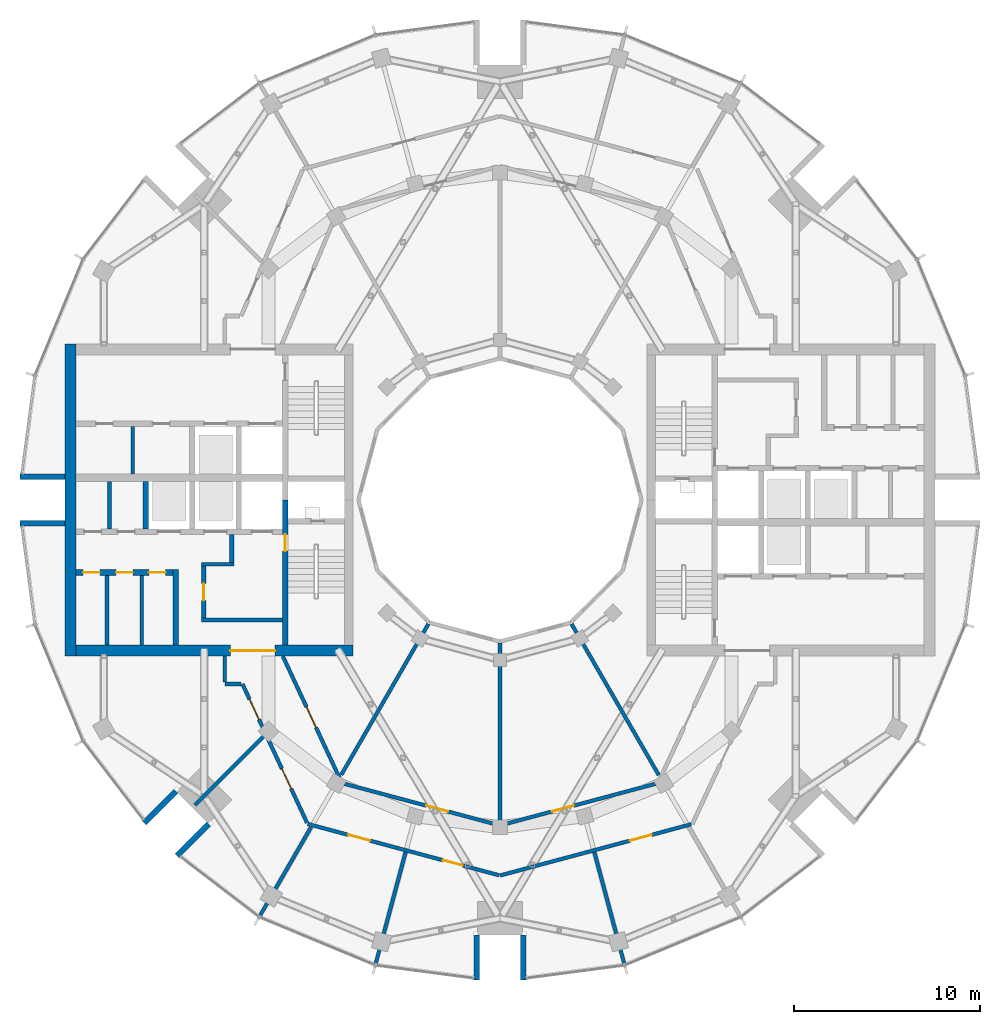
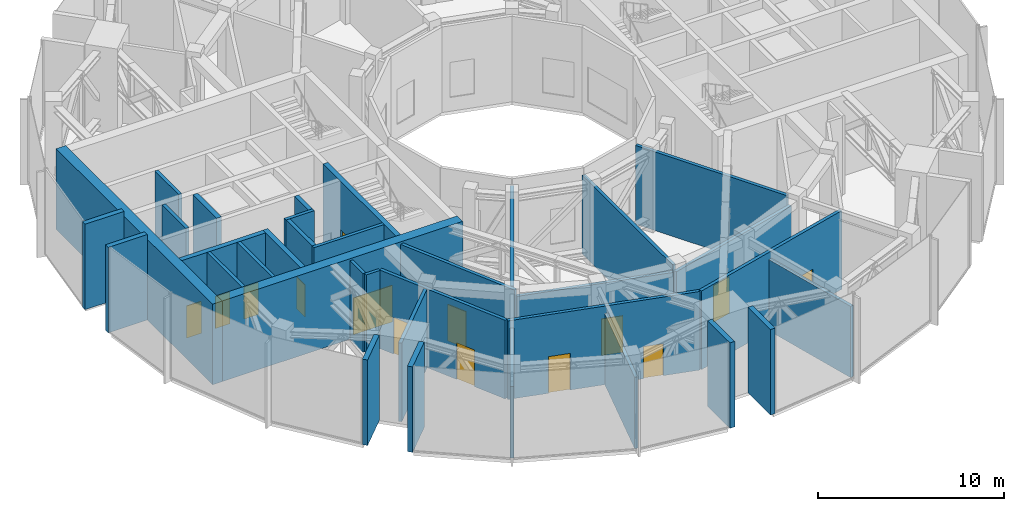
# One storey, part 12 of 18: 35 walls, 14 doors, 14 openings.
"""IFC4 building model written with IfcOpenShell, lengths in metres."""

from ifc_helpers import new_model, si_unit, direction, frame, frame_2d, origin, place, context, subcontext, project, spatial, rectangle, extrude, material, layer, layer_set, type_object, element, fill, save


model = new_model("IFC4")

# Units and contexts
model_context = context("Model", 3, precision=1e-05, world=origin(), true_north=direction((0.0, 1.0)))
body_context = subcontext(model_context, "Body", "Model", "MODEL_VIEW")
ifc_project = project(units=[si_unit("LENGTHUNIT", "METRE"), si_unit("AREAUNIT", "SQUARE_METRE"), si_unit("VOLUMEUNIT", "CUBIC_METRE"), si_unit("PLANEANGLEUNIT", "RADIAN"), si_unit("MASSUNIT", "GRAM", prefix="KILO")], contexts=[model_context])

# Site, building, storey
site_placement = place(None, origin())
site = spatial("IfcSite", under=ifc_project, at=site_placement, CompositionType="ELEMENT")
building_placement = place(site_placement, origin())
building = spatial("IfcBuilding", under=site, at=building_placement, Name="Torre Brocal", CompositionType="ELEMENT")
storey_placement = place(building_placement, frame((0.0, 0.0, 206.89990234375)))
storey = spatial("IfcBuildingStorey", under=building, at=storey_placement, Name="L48", CompositionType="ELEMENT", Elevation=206.89990234375)

# Walls
ifc_material_1 = material(Name="Masonry block", Category="masonry")
ifc_layer_1 = layer(ifc_material_1, 0.199951171875)
ifc_layer_set_1 = layer_set([ifc_layer_1], Name="Masonry block")
wall_type_1 = type_object("IfcWallType", Name="CORE PARTITION 200", PredefinedType="PARTITIONING", material=ifc_layer_set_1)
for number, where, z_axis, x_axis, name in (
    (1, (59.0, 76.0, 0.0), (0.0, 0.0, 1.0), (0.0, -1.0, 0.0), "Wall CP200"),
    (2, (60.25, 78.949951171875, 0.0), (0.0, 0.0, 1.0), (0.0, -1.0, 0.0), "Wall CP200"),
):
    element("IfcWall", number, at=place(storey_placement, frame(where, z_axis=z_axis, x_axis=x_axis)), inside=storey, type_object=wall_type_1, Name=name, PredefinedType="PARTITIONING", context=body_context, shape_type="SweptSolid", body=[
        extrude(rectangle(XDim=2.550048828125, YDim=0.199951171875, at=frame_2d((1.27490234375, 0.0))), origin(), (0.0, 0.0, 1.0), 5.280029296875),
    ])
for number, where, z_axis, x_axis, name in (
    (3, (60.736083984375, 70.949951171875, 0.0), (0.0, 0.0, 1.0), (0.0, -1.0, 0.0), "Wall CP200"),
    (4, (58.864013671875, 70.949951171875, 0.0), (0.0, 0.0, 1.0), (0.0, -1.0, 0.0), "Wall CP200"),
):
    element("IfcWall", number, at=place(storey_placement, frame(where, z_axis=z_axis, x_axis=x_axis)), inside=storey, type_object=wall_type_1, Name=name, PredefinedType="PARTITIONING", context=body_context, shape_type="SweptSolid", body=[
        extrude(rectangle(XDim=3.75, YDim=0.199951171875, at=frame_2d((1.875, 0.0))), origin(), (0.0, 0.0, 1.0), 5.280029296875),
    ])
ifc_material_2 = material(Name="Concrete C60", Category="concrete")
ifc_layer_2 = layer(ifc_material_2, 0.199951171875)
ifc_layer_set_2 = layer_set([ifc_layer_2], Name="Concrete C60")
wall_type_2 = type_object("IfcWallType", Name="CORE WALL 200 C60", PredefinedType="SHEAR", material=ifc_layer_set_2)
wall_1_placement = place(storey_placement, frame((68.300048828125, 68.550048828125, 0.0), z_axis=(0.0, 0.0, 1.0), x_axis=(-1.0, 0.0, 0.0)))
element("IfcWall", 5, at=wall_1_placement, inside=storey, type_object=wall_type_2, Name="Wall CW200-60", PredefinedType="SHEAR", context=body_context, shape_type="SweptSolid", body=[
    extrude(rectangle(XDim=4.35009765625, YDim=0.199951171875, at=frame_2d((2.175048828125, 0.0))), origin(), (0.0, 0.0, 1.0), 5.280029296875),
])
wall_2_placement = place(storey_placement, frame((65.699951171875, 71.550048828125, 0.0), z_axis=(0.0, 0.0, 1.0), x_axis=(-1.0, 0.0, 0.0)))
element("IfcWall", 6, at=wall_2_placement, inside=storey, type_object=wall_type_2, Name="Wall CW200-60", PredefinedType="SHEAR", context=body_context, shape_type="SweptSolid", body=[
    extrude(rectangle(XDim=1.75, YDim=0.199951171875, at=frame_2d((0.875, 0.0))), origin(), (0.0, 0.0, 1.0), 5.280029296875),
])

# Wall, opening, door
ifc_material_3 = material(Name="Concrete C60", Category="concrete")
ifc_layer_3 = layer(ifc_material_3, 0.25)
ifc_layer_set_3 = layer_set([ifc_layer_3], Name="Concrete C60")
wall_type_3 = type_object("IfcWallType", Name="CORE WALL 250 C60", PredefinedType="SHEAR", material=ifc_layer_set_3)
wall_3_placement = place(storey_placement, frame((64.074951171875, 71.449951171875, 0.0), z_axis=(0.0, 0.0, 1.0), x_axis=(0.0, -1.0, 0.0)))
wall_3 = element("IfcWall", 7, at=wall_3_placement, inside=storey, type_object=wall_type_3, Name="Wall CW250-60", PredefinedType="SHEAR", context=body_context, shape_type="SweptSolid", body=[
    extrude(rectangle(XDim=2.800048828125, YDim=0.25, at=frame_2d((1.39990234375, 0.0))), origin(), (0.0, 0.0, 1.0), 5.280029296875),
])
opening_1_placement = place(wall_3_placement, frame((0.949951171875, 0.0, 0.0)))
opening_1 = element("IfcOpeningElement", 8, at=opening_1_placement, cuts=wall_3, Name="Opening W-D08", PredefinedType="OPENING", context=body_context, shape_type="SweptSolid", body=[
    extrude(rectangle(XDim=0.89990234375, YDim=2.10009765625, at=frame_2d((0.449951171875, 1.050048828125))), frame((0.0, 0.135009765625, 0.0), z_axis=(0.0, -1.0, 0.0), x_axis=(1.0, 0.0, 0.0)), (0.0, 0.0, 1.0), 0.27001953125),
])
ifc_material_4 = material(Name="Steel A653", Category="steel")
door_type_1 = type_object("IfcDoorType", Name="LOBBY DOOR FD120 900X2100", OperationType="SINGLE_SWING_RIGHT", PredefinedType="DOOR", material=ifc_material_4)
door_1_placement = place(opening_1_placement, origin())
door_1 = element("IfcDoor", 9, at=door_1_placement, inside=storey, type_object=door_type_1, Name="Door W-D08", OperationType="SINGLE_SWING_LEFT", OverallHeight=2.10009765625, OverallWidth=0.89990234375, PredefinedType="DOOR", context=body_context, shape_type="SweptSolid", body=[
    extrude(rectangle(XDim=0.89990234375, YDim=2.10009765625, at=frame_2d((0.449951171875, 1.050048828125))), frame((0.0, 0.02490234375, 0.0), z_axis=(0.0, -1.0, 0.0), x_axis=(1.0, 0.0, 0.0)), (0.0, 0.0, 1.0), 0.050048828125),
])
fill(opening_1, door_1)

# Wall
wall_4_placement = place(storey_placement, frame((65.574951171875, 73.14990234375, 0.0), z_axis=(0.0, 0.0, 1.0), x_axis=(0.0, -1.0, 0.0)))
element("IfcWall", 10, at=wall_4_placement, inside=storey, type_object=wall_type_3, Name="Wall CW250-60", PredefinedType="SHEAR", context=body_context, shape_type="SweptSolid", body=[
    extrude(rectangle(XDim=1.5, YDim=0.25, at=frame_2d((0.75, 0.0))), origin(), (0.0, 0.0, 1.0), 5.280029296875),
])

# Wall, opening, door
ifc_material_5 = material(Name="Concrete C60", Category="concrete")
ifc_layer_4 = layer(ifc_material_5, 0.300048828125)
ifc_layer_set_4 = layer_set([ifc_layer_4], Name="Concrete C60")
wall_type_4 = type_object("IfcWallType", Name="CORE WALL 300 C60", PredefinedType="SHEAR", material=ifc_layer_set_4)
wall_5_placement = place(storey_placement, frame((68.449951171875, 75.0, 0.0), z_axis=(0.0, 0.0, 1.0), x_axis=(0.0, -1.0, 0.0)))
wall_5 = element("IfcWall", 11, at=wall_5_placement, inside=storey, type_object=wall_type_4, Name="Wall CW300-60", PredefinedType="SHEAR", context=body_context, shape_type="SweptSolid", body=[
    extrude(rectangle(XDim=7.800048828125, YDim=0.300048828125, at=frame_2d((3.89990234375, 0.0))), origin(), (0.0, 0.0, 1.0), 5.280029296875),
])
opening_2_placement = place(wall_5_placement, frame((1.85009765625, 0.0, 0.0)))
opening_2 = element("IfcOpeningElement", 12, at=opening_2_placement, cuts=wall_5, Name="Opening W-D02", PredefinedType="OPENING", context=body_context, shape_type="SweptSolid", body=[
    extrude(rectangle(XDim=0.89990234375, YDim=2.10009765625, at=frame_2d((0.449951171875, 1.050048828125))), frame((0.0, 0.159912109375, 0.0), z_axis=(0.0, -1.0, 0.0), x_axis=(1.0, 0.0, 0.0)), (0.0, 0.0, 1.0), 0.320068359375),
])
ifc_material_6 = material(Name="Steel A653", Category="steel")
door_type_2 = type_object("IfcDoorType", Name="STAIR DOOR FD120 900X2100", OperationType="SINGLE_SWING_RIGHT", PredefinedType="DOOR", material=ifc_material_6)
door_2_placement = place(opening_2_placement, origin())
door_2 = element("IfcDoor", 13, at=door_2_placement, inside=storey, type_object=door_type_2, Name="Door W-D02", OperationType="SINGLE_SWING_LEFT", OverallHeight=2.10009765625, OverallWidth=0.89990234375, PredefinedType="DOOR", context=body_context, shape_type="SweptSolid", body=[
    extrude(rectangle(XDim=0.89990234375, YDim=2.10009765625, at=frame_2d((0.449951171875, 1.050048828125))), frame((0.0, 0.02490234375, 0.0), z_axis=(0.0, -1.0, 0.0), x_axis=(1.0, 0.0, 0.0)), (0.0, 0.0, 1.0), 0.050048828125),
])
fill(opening_2, door_2)

# Walls
wall_6_placement = place(storey_placement, frame((60.949951171875, 76.0, 0.0), z_axis=(0.0, 0.0, 1.0), x_axis=(0.0, -1.0, 0.0)))
element("IfcWall", 14, at=wall_6_placement, inside=storey, type_object=wall_type_4, Name="Wall CW300-60", PredefinedType="SHEAR", context=body_context, shape_type="SweptSolid", body=[
    extrude(rectangle(XDim=2.550048828125, YDim=0.300048828125, at=frame_2d((1.27490234375, 0.0))), origin(), (0.0, 0.0, 1.0), 5.280029296875),
])
wall_7_placement = place(storey_placement, frame((62.550048828125, 71.25, 0.0), z_axis=(0.0, 0.0, 1.0), x_axis=(0.0, -1.0, 0.0)))
element("IfcWall", 15, at=wall_7_placement, inside=storey, type_object=wall_type_4, Name="Wall CW300-60", PredefinedType="SHEAR", context=body_context, shape_type="SweptSolid", body=[
    extrude(rectangle(XDim=4.050048828125, YDim=0.300048828125, at=frame_2d((2.02490234375, 0.0))), origin(), (0.0, 0.0, 1.0), 5.280029296875),
])

# Wall, openings, doors
wall_8_placement = place(storey_placement, frame((62.39990234375, 71.10009765625, 0.0), z_axis=(0.0, 0.0, 1.0), x_axis=(-1.0, 0.0, 0.0)))
wall_8 = element("IfcWall", 16, at=wall_8_placement, inside=storey, type_object=wall_type_4, Name="Wall CW300-60", PredefinedType="SHEAR", context=body_context, shape_type="SweptSolid", body=[
    extrude(rectangle(XDim=5.199951171875, YDim=0.300048828125, at=frame_2d((2.60009765625, 0.0))), origin(), (0.0, 0.0, 1.0), 5.280029296875),
])
opening_3_placement = place(wall_8_placement, frame((0.382080078125, 0.0, 0.0)))
opening_3 = element("IfcOpeningElement", 17, at=opening_3_placement, cuts=wall_8, Name="Opening W-D09", PredefinedType="OPENING", context=body_context, shape_type="SweptSolid", body=[
    extrude(rectangle(XDim=0.89990234375, YDim=2.10009765625, at=frame_2d((0.449951171875, 1.050048828125))), frame((0.0, 0.159912109375, 0.0), z_axis=(0.0, -1.0, 0.0), x_axis=(1.0, 0.0, 0.0)), (0.0, 0.0, 1.0), 0.320068359375),
])
opening_4_placement = place(wall_8_placement, frame((2.14990234375, 0.0, 0.0)))
opening_4 = element("IfcOpeningElement", 18, at=opening_4_placement, cuts=wall_8, Name="Opening W-D10", PredefinedType="OPENING", context=body_context, shape_type="SweptSolid", body=[
    extrude(rectangle(XDim=0.89990234375, YDim=2.10009765625, at=frame_2d((0.449951171875, 1.050048828125))), frame((0.0, 0.159912109375, 0.0), z_axis=(0.0, -1.0, 0.0), x_axis=(1.0, 0.0, 0.0)), (0.0, 0.0, 1.0), 0.320068359375),
])
opening_5_placement = place(wall_8_placement, frame((3.91796875, 0.0, 0.0)))
opening_5 = element("IfcOpeningElement", 19, at=opening_5_placement, cuts=wall_8, Name="Opening W-D11", PredefinedType="OPENING", context=body_context, shape_type="SweptSolid", body=[
    extrude(rectangle(XDim=0.89990234375, YDim=2.10009765625, at=frame_2d((0.449951171875, 1.050048828125))), frame((0.0, 0.159912109375, 0.0), z_axis=(0.0, -1.0, 0.0), x_axis=(1.0, 0.0, 0.0)), (0.0, 0.0, 1.0), 0.320068359375),
])
ifc_material_7 = material(Name="Steel A653", Category="steel")
door_type_3 = type_object("IfcDoorType", Name="ROOM DOOR FD30S 900X2100", OperationType="SINGLE_SWING_LEFT", PredefinedType="DOOR", material=ifc_material_7)
door_3_placement = place(opening_3_placement, origin())
door_3 = element("IfcDoor", 20, at=door_3_placement, inside=storey, type_object=door_type_3, Name="Door W-D09", OperationType="SINGLE_SWING_RIGHT", OverallHeight=2.10009765625, OverallWidth=0.89990234375, PredefinedType="DOOR", context=body_context, shape_type="SweptSolid", body=[
    extrude(rectangle(XDim=0.89990234375, YDim=2.10009765625, at=frame_2d((0.449951171875, 1.050048828125))), frame((0.0, 0.02490234375, 0.0), z_axis=(0.0, -1.0, 0.0), x_axis=(1.0, 0.0, 0.0)), (0.0, 0.0, 1.0), 0.050048828125),
])
fill(opening_3, door_3)
door_4_placement = place(opening_4_placement, origin())
door_4 = element("IfcDoor", 21, at=door_4_placement, inside=storey, type_object=door_type_3, Name="Door W-D10", OperationType="SINGLE_SWING_LEFT", OverallHeight=2.10009765625, OverallWidth=0.89990234375, PredefinedType="DOOR", context=body_context, shape_type="SweptSolid", body=[
    extrude(rectangle(XDim=0.89990234375, YDim=2.10009765625, at=frame_2d((0.449951171875, 1.050048828125))), frame((0.0, 0.02490234375, 0.0), z_axis=(0.0, -1.0, 0.0), x_axis=(1.0, 0.0, 0.0)), (0.0, 0.0, 1.0), 0.050048828125),
])
fill(opening_4, door_4)
door_5_placement = place(opening_5_placement, origin())
door_5 = element("IfcDoor", 22, at=door_5_placement, inside=storey, type_object=door_type_3, Name="Door W-D11", OperationType="SINGLE_SWING_LEFT", OverallHeight=2.10009765625, OverallWidth=0.89990234375, PredefinedType="DOOR", context=body_context, shape_type="SweptSolid", body=[
    extrude(rectangle(XDim=0.89990234375, YDim=2.10009765625, at=frame_2d((0.449951171875, 1.050048828125))), frame((0.0, 0.02490234375, 0.0), z_axis=(0.0, -1.0, 0.0), x_axis=(1.0, 0.0, 0.0)), (0.0, 0.0, 1.0), 0.050048828125),
])
fill(opening_5, door_5)

# Wall, opening, door
ifc_material_8 = material(Name="Concrete C60", Category="concrete")
ifc_layer_5 = layer(ifc_material_8, 0.60009765625)
ifc_layer_set_5 = layer_set([ifc_layer_5], Name="Concrete C60")
wall_type_5 = type_object("IfcWallType", Name="CORE WALL 600 C60", PredefinedType="SHEAR", material=ifc_layer_set_5)
wall_9_placement = place(storey_placement, frame((72.10009765625, 66.89990234375, 0.0), z_axis=(0.0, 0.0, 1.0), x_axis=(-1.0, 0.0, 0.0)))
wall_9 = element("IfcWall", 23, at=wall_9_placement, inside=storey, type_object=wall_type_5, Name="Wall CW600-60", PredefinedType="SHEAR", context=body_context, shape_type="SweptSolid", body=[
    extrude(rectangle(XDim=14.900146484375, YDim=0.60009765625, at=frame_2d((7.4501953125, 0.0))), origin(), (0.0, 0.0, 1.0), 5.280029296875),
])
opening_6_placement = place(wall_9_placement, frame((4.199951171875, 0.0, 0.0)))
opening_6 = element("IfcOpeningElement", 24, at=opening_6_placement, cuts=wall_9, Name="Opening W-D12", PredefinedType="OPENING", context=body_context, shape_type="SweptSolid", body=[
    extrude(rectangle(XDim=2.39990234375, YDim=2.39990234375, at=frame_2d((1.199951171875, 1.199951171875))), frame((0.0, 0.31005859375, 0.0), z_axis=(0.0, -1.0, 0.0), x_axis=(1.0, 0.0, 0.0)), (0.0, 0.0, 1.0), 0.6201171875),
])
ifc_material_9 = material(Name="Steel A653", Category="steel")
door_type_4 = type_object("IfcDoorType", Name="DOUBLE FIRE DOOR FD90 2400X2400", OperationType="DOUBLE_DOOR_SINGLE_SWING", PredefinedType="DOOR", material=ifc_material_9)
door_6_placement = place(opening_6_placement, frame((2.39990234375, 0.0, 0.0), z_axis=(0.0, 0.0, 1.0), x_axis=(-1.0, 0.0, 0.0)))
door_6 = element("IfcDoor", 25, at=door_6_placement, inside=storey, type_object=door_type_4, Name="Door W-D12", OperationType="DOUBLE_DOOR_SINGLE_SWING", OverallHeight=2.39990234375, OverallWidth=2.39990234375, PredefinedType="DOOR", context=body_context, shape_type="SweptSolid", body=[
    extrude(rectangle(XDim=2.39990234375, YDim=2.39990234375, at=frame_2d((1.199951171875, 1.199951171875))), frame((0.0, 0.02490234375, 0.0), z_axis=(0.0, -1.0, 0.0), x_axis=(1.0, 0.0, 0.0)), (0.0, 0.0, 1.0), 0.050048828125),
])
fill(opening_6, door_6)

# Walls
wall_10_placement = place(storey_placement, frame((56.89990234375, 83.39990234375, 0.0), z_axis=(0.0, 0.0, 1.0), x_axis=(0.0, -1.0, 0.0)))
element("IfcWall", 26, at=wall_10_placement, inside=storey, type_object=wall_type_5, Name="Wall CW600-60", PredefinedType="SHEAR", context=body_context, shape_type="SweptSolid", body=[
    extrude(rectangle(XDim=16.7998046875, YDim=0.60009765625, at=frame_2d((8.39990234375, 0.0))), origin(), (0.0, 0.0, 1.0), 5.280029296875),
])
ifc_material_10 = material(Name="Concrete C60", Category="concrete")
ifc_layer_6 = layer(ifc_material_10, 0.300048828125)
ifc_layer_set_6 = layer_set([ifc_layer_6], Name="Concrete C60")
wall_type_6 = type_object("IfcWallType", Name="NOTCH RETURN WALL 300 C60", PredefinedType="NOTDEFINED", material=ifc_layer_set_6)
for number, where, z_axis, x_axis, name in (
    (27, (56.60009765625, 76.25, 0.0), (0.0, 0.0, 1.0), (-1.0, 0.0, 0.0), "NOTCH RETURN WALL"),
    (28, (56.60009765625, 73.75, 0.0), (0.0, 0.0, 1.0), (-1.0, 0.0, 0.0), "NOTCH RETURN WALL"),
    (29, (62.56982421875, 59.337646484375, 0.0), (0.0, 0.0, 1.0), (-0.707106781187, -0.707106781187, 0.0), "NOTCH RETURN WALL"),
    (30, (64.337646484375, 57.56982421875, 0.0), (0.0, 0.0, 1.0), (-0.707106781187, -0.707106781187, 0.0), "NOTCH RETURN WALL"),
    (31, (78.75, 51.60009765625, 0.0), (0.0, 0.0, 1.0), (0.0, -1.0, 0.0), "NOTCH RETURN WALL"),
    (32, (81.25, 51.60009765625, 0.0), (0.0, 0.0, 1.0), (0.0, -1.0, 0.0), "NOTCH RETURN WALL"),
):
    element("IfcWall", number, at=place(storey_placement, frame(where, z_axis=z_axis, x_axis=x_axis)), inside=storey, type_object=wall_type_6, Name=name, PredefinedType="NOTDEFINED", context=body_context, shape_type="SweptSolid", body=[
        extrude(rectangle(XDim=2.415771484375, YDim=0.300048828125, at=frame_2d((1.2080078125, 0.0))), origin(), (0.0, 0.0, 1.0), 5.60009765625),
    ])
ifc_material_11 = material(Name="Masonry block", Category="masonry")
ifc_layer_7 = layer(ifc_material_11, 0.199951171875)
ifc_layer_set_7 = layer_set([ifc_layer_7], Name="Masonry block")
wall_type_7 = type_object("IfcWallType", Name="PARTITION 200 EI120", PredefinedType="PARTITIONING", material=ifc_layer_set_7)
wall_11_placement = place(storey_placement, frame((63.595458984375, 58.595947265625, 0.0), z_axis=(0.0, 0.0, 1.0), x_axis=(0.707106781187, 0.707106781187, 0.0)))
element("IfcWall", 33, at=wall_11_placement, inside=storey, type_object=wall_type_7, Name="PLANT ROOM WALL", PredefinedType="PARTITIONING", context=body_context, shape_type="SweptSolid", body=[
    extrude(rectangle(XDim=5.2470703125, YDim=0.199951171875, at=frame_2d((2.62353515625, 0.0))), origin(), (0.0, 0.0, 1.0), 5.150146484375),
])
wall_12_placement = place(storey_placement, frame((65.199951171875, 65.199951171875, 0.0), z_axis=(0.0, 0.0, 1.0), x_axis=(0.0, 1.0, 0.0)))
element("IfcWall", 34, at=wall_12_placement, inside=storey, type_object=wall_type_7, Name="PLANT ROOM WALL", PredefinedType="PARTITIONING", context=body_context, shape_type="SweptSolid", body=[
    extrude(rectangle(XDim=1.399169921875, YDim=0.199951171875, at=frame_2d((0.69970703125, 0.0))), origin(), (0.0, 0.0, 1.0), 5.150146484375),
])
wall_13_placement = place(storey_placement, frame((65.199951171875, 65.10009765625, 0.0), z_axis=(0.0, 0.0, 1.0), x_axis=(1.0, 0.0, 0.0)))
element("IfcWall", 35, at=wall_13_placement, inside=storey, type_object=wall_type_7, Name="PLANT ROOM WALL", PredefinedType="PARTITIONING", context=body_context, shape_type="SweptSolid", body=[
    extrude(rectangle(XDim=0.859130859375, YDim=0.199951171875, at=frame_2d((0.4296875, 0.0))), origin(), (0.0, 0.0, 1.0), 5.150146484375),
])

# Wall, openings, doors
wall_14_placement = place(storey_placement, frame((66.150146484375, 65.10009765625, 0.0), z_axis=(0.0, 0.0, 1.0), x_axis=(0.421948011018, -0.906620028456, 0.0)))
wall_14 = element("IfcWall", 36, at=wall_14_placement, inside=storey, type_object=wall_type_7, Name="PLANT ROOM WALL", PredefinedType="PARTITIONING", context=body_context, shape_type="SweptSolid", body=[
    extrude(rectangle(XDim=8.228271484375, YDim=0.199951171875, at=frame_2d((4.1142578125, 0.0))), origin(), (0.0, 0.0, 1.0), 5.150146484375),
])
opening_7_placement = place(wall_14_placement, frame((5.025390625, 0.0, 0.0)))
opening_7 = element("IfcOpeningElement", 37, at=opening_7_placement, cuts=wall_14, Name="Opening X2-D14", PredefinedType="OPENING", context=body_context, shape_type="SweptSolid", body=[
    extrude(rectangle(XDim=1.199951171875, YDim=2.39990234375, at=frame_2d((0.60009765625, 1.199951171875))), frame((0.0, 0.10986328125, 0.0), z_axis=(0.0, -1.0, 0.0), x_axis=(1.0, 0.0, 0.0)), (0.0, 0.0, 1.0), 0.219970703125),
])
opening_8_placement = place(wall_14_placement, frame((0.896728515625, 0.0, 0.0)))
opening_8 = element("IfcOpeningElement", 38, at=opening_8_placement, cuts=wall_14, Name="Opening X2-D15", PredefinedType="OPENING", context=body_context, shape_type="SweptSolid", body=[
    extrude(rectangle(XDim=1.199951171875, YDim=2.39990234375, at=frame_2d((0.60009765625, 1.199951171875))), frame((0.0, 0.10986328125, 0.0), z_axis=(0.0, -1.0, 0.0), x_axis=(1.0, 0.0, 0.0)), (0.0, 0.0, 1.0), 0.219970703125),
])
ifc_material_12 = material(Name="Steel A653", Category="steel")
door_type_5 = type_object("IfcDoorType", Name="PLANT DOOR FD90 1200X2400", OperationType="SINGLE_SWING_RIGHT", PredefinedType="DOOR", material=ifc_material_12)
door_7_placement = place(opening_7_placement, frame((1.199951171875, 0.0, 0.0), z_axis=(0.0, 0.0, 1.0), x_axis=(-1.0, 0.0, 0.0)))
door_7 = element("IfcDoor", 39, at=door_7_placement, inside=storey, type_object=door_type_5, Name="X2-D14", OperationType="SINGLE_SWING_RIGHT", OverallHeight=2.39990234375, OverallWidth=1.199951171875, PredefinedType="DOOR", context=body_context, shape_type="SweptSolid", body=[
    extrude(rectangle(XDim=1.199951171875, YDim=2.39990234375, at=frame_2d((0.60009765625, 1.199951171875))), frame((0.0, 0.02490234375, 0.0), z_axis=(0.0, -1.0, 0.0), x_axis=(1.0, 0.0, 0.0)), (0.0, 0.0, 1.0), 0.050048828125),
])
fill(opening_7, door_7)
door_8_placement = place(opening_8_placement, frame((1.199951171875, 0.0, 0.0), z_axis=(0.0, 0.0, 1.0), x_axis=(-1.0, 0.0, 0.0)))
door_8 = element("IfcDoor", 40, at=door_8_placement, inside=storey, type_object=door_type_5, Name="X2-D15", OperationType="SINGLE_SWING_LEFT", OverallHeight=2.39990234375, OverallWidth=1.199951171875, PredefinedType="DOOR", context=body_context, shape_type="SweptSolid", body=[
    extrude(rectangle(XDim=1.199951171875, YDim=2.39990234375, at=frame_2d((0.60009765625, 1.199951171875))), frame((0.0, 0.02490234375, 0.0), z_axis=(0.0, -1.0, 0.0), x_axis=(1.0, 0.0, 0.0)), (0.0, 0.0, 1.0), 0.050048828125),
])
fill(opening_8, door_8)

# Wall, opening, door
wall_15_placement = place(storey_placement, frame((68.320068359375, 66.60009765625, 0.0), z_axis=(0.0, 0.0, 1.0), x_axis=(0.422061116547, -0.90656737968, 0.0)))
wall_15 = element("IfcWall", 41, at=wall_15_placement, inside=storey, type_object=wall_type_7, Name="PLANT ROOM WALL", PredefinedType="PARTITIONING", context=body_context, shape_type="SweptSolid", body=[
    extrude(rectangle(XDim=7.459716796875, YDim=0.199951171875, at=frame_2d((3.72998046875, 0.0))), origin(), (0.0, 0.0, 1.0), 5.150146484375),
])
opening_9_placement = place(wall_15_placement, frame((3.02197265625, 0.0, 0.0)))
opening_9 = element("IfcOpeningElement", 42, at=opening_9_placement, cuts=wall_15, Name="Opening X2-D19", PredefinedType="OPENING", context=body_context, shape_type="SweptSolid", body=[
    extrude(rectangle(XDim=1.199951171875, YDim=2.39990234375, at=frame_2d((0.60009765625, 1.199951171875))), frame((0.0, 0.10986328125, 0.0), z_axis=(0.0, -1.0, 0.0), x_axis=(1.0, 0.0, 0.0)), (0.0, 0.0, 1.0), 0.219970703125),
])
door_9_placement = place(opening_9_placement, origin())
door_9 = element("IfcDoor", 43, at=door_9_placement, inside=storey, type_object=door_type_5, Name="X2-D19", OperationType="SINGLE_SWING_RIGHT", OverallHeight=2.39990234375, OverallWidth=1.199951171875, PredefinedType="DOOR", context=body_context, shape_type="SweptSolid", body=[
    extrude(rectangle(XDim=1.199951171875, YDim=2.39990234375, at=frame_2d((0.60009765625, 1.199951171875))), frame((0.0, 0.02490234375, 0.0), z_axis=(0.0, -1.0, 0.0), x_axis=(1.0, 0.0, 0.0)), (0.0, 0.0, 1.0), 0.050048828125),
])
fill(opening_9, door_9)

# Wall, openings, doors
wall_16_placement = place(storey_placement, frame((69.652099609375, 57.576904296875, 0.0), z_axis=(0.0, 0.0, 1.0), x_axis=(0.965914220364, -0.25886235512, 0.0)))
wall_16 = element("IfcWall", 44, at=wall_16_placement, inside=storey, type_object=wall_type_7, Name="PLANT ROOM WALL", PredefinedType="PARTITIONING", context=body_context, shape_type="SweptSolid", body=[
    extrude(rectangle(XDim=10.6630859375, YDim=0.199951171875, at=frame_2d((5.33154296875, 0.0))), origin(), (0.0, 0.0, 1.0), 5.150146484375),
])
opening_10_placement = place(wall_16_placement, frame((7.539794921875, 0.0, 0.0)))
opening_10 = element("IfcOpeningElement", 45, at=opening_10_placement, cuts=wall_16, Name="Opening X2-D12", PredefinedType="OPENING", context=body_context, shape_type="SweptSolid", body=[
    extrude(rectangle(XDim=1.10009765625, YDim=2.10009765625, at=frame_2d((0.550048828125, 1.050048828125))), frame((0.0, 0.10986328125, 0.0), z_axis=(0.0, -1.0, 0.0), x_axis=(1.0, 0.0, 0.0)), (0.0, 0.0, 1.0), 0.219970703125),
])
opening_11_placement = place(wall_16_placement, frame((2.27197265625, 0.0, 0.0)))
opening_11 = element("IfcOpeningElement", 46, at=opening_11_placement, cuts=wall_16, Name="Opening X2-D13", PredefinedType="OPENING", context=body_context, shape_type="SweptSolid", body=[
    extrude(rectangle(XDim=1.199951171875, YDim=2.39990234375, at=frame_2d((0.60009765625, 1.199951171875))), frame((0.0, 0.10986328125, 0.0), z_axis=(0.0, -1.0, 0.0), x_axis=(1.0, 0.0, 0.0)), (0.0, 0.0, 1.0), 0.219970703125),
])
door_10_placement = place(opening_11_placement, frame((1.199951171875, 0.0, 0.0), z_axis=(0.0, 0.0, 1.0), x_axis=(-1.0, 0.0, 0.0)))
door_10 = element("IfcDoor", 47, at=door_10_placement, inside=storey, type_object=door_type_5, Name="X2-D13", OperationType="SINGLE_SWING_LEFT", OverallHeight=2.39990234375, OverallWidth=1.199951171875, PredefinedType="DOOR", context=body_context, shape_type="SweptSolid", body=[
    extrude(rectangle(XDim=1.199951171875, YDim=2.39990234375, at=frame_2d((0.60009765625, 1.199951171875))), frame((0.0, 0.02490234375, 0.0), z_axis=(0.0, -1.0, 0.0), x_axis=(1.0, 0.0, 0.0)), (0.0, 0.0, 1.0), 0.050048828125),
])
fill(opening_11, door_10)
ifc_material_13 = material(Name="Steel A653", Category="steel")
door_type_6 = type_object("IfcDoorType", Name="REFUGE DOOR FD90 1100X2100", OperationType="SINGLE_SWING_RIGHT", PredefinedType="DOOR", material=ifc_material_13)
door_11_placement = place(opening_10_placement, frame((1.10009765625, 0.0, 0.0), z_axis=(0.0, 0.0, 1.0), x_axis=(-1.0, 0.0, 0.0)))
door_11 = element("IfcDoor", 48, at=door_11_placement, inside=storey, type_object=door_type_6, Name="X2-D12", OperationType="SINGLE_SWING_RIGHT", OverallHeight=2.10009765625, OverallWidth=1.10009765625, PredefinedType="DOOR", context=body_context, shape_type="SweptSolid", body=[
    extrude(rectangle(XDim=1.10009765625, YDim=2.10009765625, at=frame_2d((0.550048828125, 1.050048828125))), frame((0.0, 0.02490234375, 0.0), z_axis=(0.0, -1.0, 0.0), x_axis=(1.0, 0.0, 0.0)), (0.0, 0.0, 1.0), 0.050048828125),
])
fill(opening_10, door_11)

# Wall
wall_17_placement = place(storey_placement, frame((71.463134765625, 60.216064453125, 0.0), z_axis=(0.0, 0.0, 1.0), x_axis=(0.500032835289, 0.866006445491, 0.0)))
element("IfcWall", 49, at=wall_17_placement, inside=storey, type_object=wall_type_7, Name="PLANT ROOM WALL", PredefinedType="PARTITIONING", context=body_context, shape_type="SweptSolid", body=[
    extrude(rectangle(XDim=9.373291015625, YDim=0.199951171875, at=frame_2d((4.6865234375, 0.0))), origin(), (0.0, 0.0, 1.0), 5.150146484375),
])

# Wall, opening, door
wall_18_placement = place(storey_placement, frame((80.0, 54.803955078125, 0.0), z_axis=(0.0, 0.0, 1.0), x_axis=(0.965920507456, 0.258838894444, 0.0)))
wall_18 = element("IfcWall", 50, at=wall_18_placement, inside=storey, type_object=wall_type_7, Name="PLANT ROOM WALL", PredefinedType="PARTITIONING", context=body_context, shape_type="SweptSolid", body=[
    extrude(rectangle(XDim=10.643310546875, YDim=0.199951171875, at=frame_2d((5.32177734375, 0.0))), origin(), (0.0, 0.0, 1.0), 5.150146484375),
])
opening_12_placement = place(wall_18_placement, frame((7.2412109375, 0.0, 0.0)))
opening_12 = element("IfcOpeningElement", 51, at=opening_12_placement, cuts=wall_18, Name="Opening X2-D11", PredefinedType="OPENING", context=body_context, shape_type="SweptSolid", body=[
    extrude(rectangle(XDim=1.199951171875, YDim=2.39990234375, at=frame_2d((0.60009765625, 1.199951171875))), frame((0.0, 0.10986328125, 0.0), z_axis=(0.0, -1.0, 0.0), x_axis=(1.0, 0.0, 0.0)), (0.0, 0.0, 1.0), 0.219970703125),
])
door_12_placement = place(opening_12_placement, frame((1.199951171875, 0.0, 0.0), z_axis=(0.0, 0.0, 1.0), x_axis=(-1.0, 0.0, 0.0)))
door_12 = element("IfcDoor", 52, at=door_12_placement, inside=storey, type_object=door_type_5, Name="X2-D11", OperationType="SINGLE_SWING_RIGHT", OverallHeight=2.39990234375, OverallWidth=1.199951171875, PredefinedType="DOOR", context=body_context, shape_type="SweptSolid", body=[
    extrude(rectangle(XDim=1.199951171875, YDim=2.39990234375, at=frame_2d((0.60009765625, 1.199951171875))), frame((0.0, 0.02490234375, 0.0), z_axis=(0.0, -1.0, 0.0), x_axis=(1.0, 0.0, 0.0)), (0.0, 0.0, 1.0), 0.050048828125),
])
fill(opening_12, door_12)

# Walls
wall_19_placement = place(storey_placement, frame((80.0, 57.6259765625, 0.0), z_axis=(0.0, 0.0, 1.0), x_axis=(0.0, 1.0, 0.0)))
element("IfcWall", 53, at=wall_19_placement, inside=storey, type_object=wall_type_7, Name="PLANT ROOM WALL", PredefinedType="PARTITIONING", context=body_context, shape_type="SweptSolid", body=[
    extrude(rectangle(XDim=9.675048828125, YDim=0.199951171875, at=frame_2d((4.83740234375, 0.0))), origin(), (0.0, 0.0, 1.0), 5.150146484375),
])
wall_20_placement = place(storey_placement, frame((83.84814453125, 68.33251953125, 0.0), z_axis=(0.0, 0.0, 1.0), x_axis=(0.499897383715, -0.866084641219, 0.0)))
element("IfcWall", 54, at=wall_20_placement, inside=storey, type_object=wall_type_7, Name="PLANT ROOM WALL", PredefinedType="PARTITIONING", context=body_context, shape_type="SweptSolid", body=[
    extrude(rectangle(XDim=9.38330078125, YDim=0.199951171875, at=frame_2d((4.691650390625, 0.0))), origin(), (0.0, 0.0, 1.0), 5.150146484375),
])

# Wall, opening, door
ifc_material_14 = material(Name="Masonry block", Category="masonry")
ifc_layer_8 = layer(ifc_material_14, 0.199951171875)
ifc_layer_set_8 = layer_set([ifc_layer_8], Name="Masonry block")
wall_type_8 = type_object("IfcWallType", Name="PARTITION 200 EI120 UNDER BEAM 820", PredefinedType="PARTITIONING", material=ifc_layer_set_8)
wall_21_placement = place(storey_placement, frame((71.498046875, 59.77392578125, 0.0), z_axis=(0.0, 0.0, 1.0), x_axis=(0.965928196674, -0.258810198543, 0.0)))
wall_21 = element("IfcWall", 55, at=wall_21_placement, inside=storey, type_object=wall_type_8, Name="PLANT ROOM WALL", PredefinedType="PARTITIONING", context=body_context, shape_type="SweptSolid", body=[
    extrude(rectangle(XDim=8.671875, YDim=0.199951171875, at=frame_2d((4.3359375, 0.0))), origin(), (0.0, 0.0, 1.0), 4.780029296875),
])
opening_13_placement = place(wall_21_placement, frame((4.700927734375, 0.0, 0.0)))
opening_13 = element("IfcOpeningElement", 56, at=opening_13_placement, cuts=wall_21, Name="Opening X2-D18", PredefinedType="OPENING", context=body_context, shape_type="SweptSolid", body=[
    extrude(rectangle(XDim=1.199951171875, YDim=2.39990234375, at=frame_2d((0.60009765625, 1.199951171875))), frame((0.0, 0.10986328125, 0.0), z_axis=(0.0, -1.0, 0.0), x_axis=(1.0, 0.0, 0.0)), (0.0, 0.0, 1.0), 0.219970703125),
])
door_13_placement = place(opening_13_placement, origin())
door_13 = element("IfcDoor", 57, at=door_13_placement, inside=storey, type_object=door_type_5, Name="X2-D18", OperationType="SINGLE_SWING_RIGHT", OverallHeight=2.39990234375, OverallWidth=1.199951171875, PredefinedType="DOOR", context=body_context, shape_type="SweptSolid", body=[
    extrude(rectangle(XDim=1.199951171875, YDim=2.39990234375, at=frame_2d((0.60009765625, 1.199951171875))), frame((0.0, 0.02490234375, 0.0), z_axis=(0.0, -1.0, 0.0), x_axis=(1.0, 0.0, 0.0)), (0.0, 0.0, 1.0), 0.050048828125),
])
fill(opening_13, door_13)

wall_22_placement = place(storey_placement, frame((80.0, 57.49609375, 0.0), z_axis=(0.0, 0.0, 1.0), x_axis=(0.965931702874, 0.258797112392, 0.0)))
wall_22 = element("IfcWall", 58, at=wall_22_placement, inside=storey, type_object=wall_type_8, Name="PLANT ROOM WALL", PredefinedType="PARTITIONING", context=body_context, shape_type="SweptSolid", body=[
    extrude(rectangle(XDim=8.731689453125, YDim=0.199951171875, at=frame_2d((4.36572265625, 0.0))), origin(), (0.0, 0.0, 1.0), 4.780029296875),
])
opening_14_placement = place(wall_22_placement, frame((2.90087890625, 0.0, 0.0)))
opening_14 = element("IfcOpeningElement", 59, at=opening_14_placement, cuts=wall_22, Name="Opening X2-D17", PredefinedType="OPENING", context=body_context, shape_type="SweptSolid", body=[
    extrude(rectangle(XDim=1.199951171875, YDim=2.39990234375, at=frame_2d((0.60009765625, 1.199951171875))), frame((0.0, 0.10986328125, 0.0), z_axis=(0.0, -1.0, 0.0), x_axis=(1.0, 0.0, 0.0)), (0.0, 0.0, 1.0), 0.219970703125),
])
door_14_placement = place(opening_14_placement, origin())
door_14 = element("IfcDoor", 60, at=door_14_placement, inside=storey, type_object=door_type_5, Name="X2-D17", OperationType="SINGLE_SWING_LEFT", OverallHeight=2.39990234375, OverallWidth=1.199951171875, PredefinedType="DOOR", context=body_context, shape_type="SweptSolid", body=[
    extrude(rectangle(XDim=1.199951171875, YDim=2.39990234375, at=frame_2d((0.60009765625, 1.199951171875))), frame((0.0, 0.02490234375, 0.0), z_axis=(0.0, -1.0, 0.0), x_axis=(1.0, 0.0, 0.0)), (0.0, 0.0, 1.0), 0.050048828125),
])
fill(opening_14, door_14)

# Walls
ifc_material_15 = material(Name="Masonry block", Category="masonry")
ifc_layer_9 = layer(ifc_material_15, 0.199951171875)
ifc_layer_set_9 = layer_set([ifc_layer_9], Name="Masonry block")
wall_type_9 = type_object("IfcWallType", Name="PARTITION 200 EI120 UNDER BEAM 933", PredefinedType="PARTITIONING", material=ifc_layer_set_9)
wall_23_placement = place(storey_placement, frame((67.099853515625, 52.6591796875, 0.0), z_axis=(0.0, 0.0, 1.0), x_axis=(0.500021123982, 0.866013207504, 0.0)))
element("IfcWall", 61, at=wall_23_placement, inside=storey, type_object=wall_type_9, Name="PLANT ROOM WALL", PredefinedType="PARTITIONING", context=body_context, shape_type="SweptSolid", body=[
    extrude(rectangle(XDim=5.471923828125, YDim=0.199951171875, at=frame_2d((2.73583984375, 0.0))), origin(), (0.0, 0.0, 1.0), 4.6669921875),
])
wall_24_placement = place(storey_placement, frame((73.322021484375, 50.08203125, 0.0), z_axis=(0.0, 0.0, 1.0), x_axis=(0.258872782105, 0.965911425901, 0.0)))
element("IfcWall", 62, at=wall_24_placement, inside=storey, type_object=wall_type_9, Name="PLANT ROOM WALL", PredefinedType="PARTITIONING", context=body_context, shape_type="SweptSolid", body=[
    extrude(rectangle(XDim=6.189453125, YDim=0.199951171875, at=frame_2d((3.0947265625, 0.0))), origin(), (0.0, 0.0, 1.0), 4.6669921875),
])
wall_25_placement = place(storey_placement, frame((85.07470703125, 56.060302734375, 0.0), z_axis=(0.0, 0.0, 1.0), x_axis=(0.258789317819, -0.9659337912, 0.0)))
element("IfcWall", 63, at=wall_25_placement, inside=storey, type_object=wall_type_9, Name="PLANT ROOM WALL", PredefinedType="PARTITIONING", context=body_context, shape_type="SweptSolid", body=[
    extrude(rectangle(XDim=6.189697265625, YDim=0.199951171875, at=frame_2d((3.0947265625, 0.0))), origin(), (0.0, 0.0, 1.0), 4.6669921875),
])

save(model, "model.ifc")
